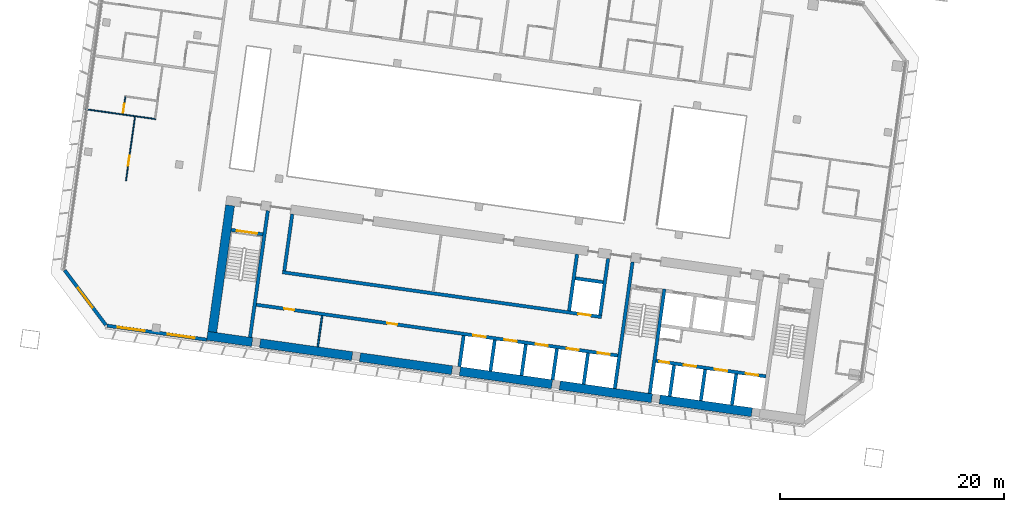
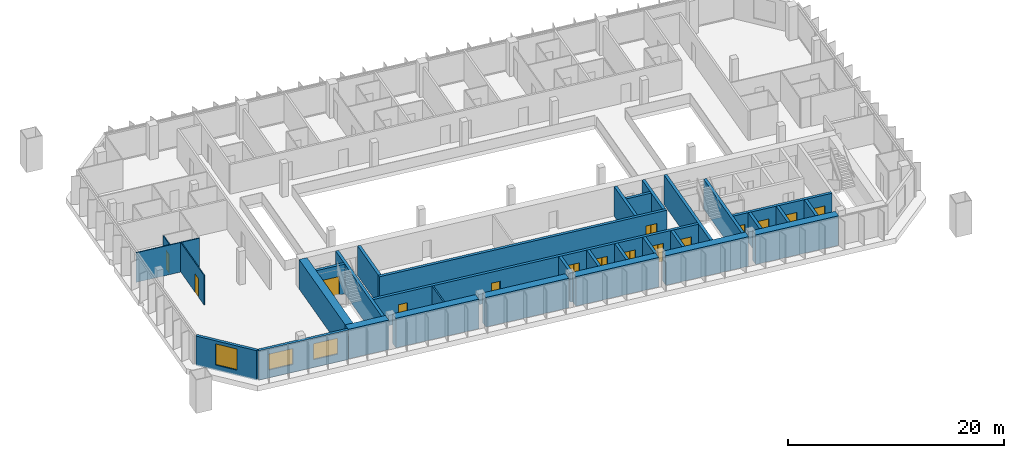
# One storey, part 14 of 26: 32 walls, 15 doors, 3 windows, 18 openings.
"""IFC4 building model written with IfcOpenShell, lengths in metres."""

from ifc_helpers import new_model, si_unit, direction, frame, frame_2d, origin, place, context, subcontext, project, spatial, rectangle, extrude, material, layer, layer_set, type_object, element, fill, save


model = new_model("IFC4")

# Units and contexts
model_context = context("Model", 3, precision=1e-05, world=origin(), true_north=direction((0.0, 1.0)))
body_context = subcontext(model_context, "Body", "Model", "MODEL_VIEW")
ifc_project = project(units=[si_unit("LENGTHUNIT", "METRE"), si_unit("AREAUNIT", "SQUARE_METRE"), si_unit("VOLUMEUNIT", "CUBIC_METRE"), si_unit("PLANEANGLEUNIT", "RADIAN"), si_unit("MASSUNIT", "GRAM", prefix="KILO")], contexts=[model_context])

# Site, building, storey
site_placement = place(None, origin())
site = spatial("IfcSite", under=ifc_project, at=site_placement, CompositionType="ELEMENT")
building_placement = place(site_placement, origin())
building = spatial("IfcBuilding", under=site, at=building_placement, Name="Mirante Cascada Hotel Towers", CompositionType="ELEMENT")
storey_placement = place(building_placement, frame((0.0, 0.0, 140.5)))
storey = spatial("IfcBuildingStorey", under=building, at=storey_placement, Name="L32", CompositionType="ELEMENT", Elevation=140.5)

# Walls
ifc_material_1 = material(Name="Masonry block", Category="masonry")
ifc_layer_1 = layer(ifc_material_1, 0.15)
ifc_layer_set_1 = layer_set([ifc_layer_1], Name="Core room partition 150 block EI 30")
wall_type_1 = type_object("IfcWallType", Name="Core room partition 150 block EI 30", PredefinedType="PARTITIONING", material=ifc_layer_set_1)
wall_1_placement = place(storey_placement, frame((-80.547, -13.174, 0.0), z_axis=(0.0, 0.0, 1.0), x_axis=(0.139176, 0.9902677, 0.0)))
element("IfcWall", 1, at=wall_1_placement, inside=storey, type_object=wall_type_1, Name="Core wall partition T1 L32 4", PredefinedType="PARTITIONING", context=body_context, shape_type="SweptSolid", body=[
    extrude(rectangle(XDim=2.8001, YDim=0.15, at=frame_2d((1.4, 0.0))), origin(), (0.0, 0.0, 1.0), 3.35),
])
ifc_material_2 = material(Name="Plasterboard on metal studs")
ifc_layer_2 = layer(ifc_material_2, 0.1)
ifc_layer_set_2 = layer_set([ifc_layer_2], Name="Partition 100")
wall_type_2 = type_object("IfcWallType", Name="Partition 100", PredefinedType="PARTITIONING", material=ifc_layer_set_2)
wall_2_placement = place(storey_placement, frame((-95.0111, 7.1367, 0.0), z_axis=(0.0, 0.0, 1.0), x_axis=(-0.990267, 0.139181, 0.0)))
element("IfcWall", 2, at=wall_2_placement, inside=storey, type_object=wall_type_2, Name="Wall 1-L32-07", PredefinedType="PARTITIONING", context=body_context, shape_type="SweptSolid", body=[
    extrude(rectangle(XDim=6.35, YDim=0.1, at=frame_2d((3.175, 0.0))), origin(), (0.0, 0.0, 1.0), 3.35),
])

# Wall, opening, door
wall_3_placement = place(storey_placement, frame((-97.6503, 1.6506, 0.0), z_axis=(0.0, 0.0, 1.0), x_axis=(0.139164, 0.9902694, 0.0)))
wall_3 = element("IfcWall", 3, at=wall_3_placement, inside=storey, type_object=wall_type_2, Name="Wall 1-L32-61", PredefinedType="PARTITIONING", context=body_context, shape_type="SweptSolid", body=[
    extrude(rectangle(XDim=5.7501, YDim=0.1, at=frame_2d((2.875, 0.0))), origin(), (0.0, 0.0, 1.0), 3.35),
])
opening_1_placement = place(wall_3_placement, frame((1.3333, 0.0, 0.0)))
opening_1 = element("IfcOpeningElement", 4, at=opening_1_placement, cuts=wall_3, Name="Opening D1-L32-37", PredefinedType="OPENING", context=body_context, shape_type="SweptSolid", body=[
    extrude(rectangle(XDim=0.9, YDim=2.1, at=frame_2d((0.45, 1.05))), frame((0.0, 0.05, 0.0), z_axis=(0.0, -1.0, 0.0), x_axis=(1.0, 0.0, 0.0)), (0.0, 0.0, 1.0), 0.1),
])
ifc_material_3 = material(Name="Timber door leaf", Category="wood")
door_type_1 = type_object("IfcDoorType", Name="Room door DG3 900x2100", OperationType="SINGLE_SWING_LEFT", PredefinedType="DOOR", material=ifc_material_3)
door_1_placement = place(opening_1_placement, frame((0.9, 0.0, 0.0), z_axis=(0.0, 0.0, 1.0), x_axis=(-1.0, 0.0, 0.0)))
door_1 = element("IfcDoor", 5, at=door_1_placement, inside=storey, type_object=door_type_1, Name="Door D1-L32-37", OperationType="SINGLE_SWING_RIGHT", OverallHeight=2.1, OverallWidth=0.9, PredefinedType="DOOR", context=body_context, shape_type="SweptSolid", body=[
    extrude(rectangle(XDim=0.9, YDim=2.1, at=frame_2d((0.45, 1.05))), frame((0.0, 0.025, 0.0), z_axis=(0.0, -1.0, 0.0), x_axis=(1.0, 0.0, 0.0)), (0.0, 0.0, 1.0), 0.05),
])
fill(opening_1, door_1)

wall_4_placement = place(storey_placement, frame((-97.9254, 7.5968, 0.0), z_axis=(0.0, 0.0, 1.0), x_axis=(0.1391749, 0.9902678, 0.0)))
wall_4 = element("IfcWall", 6, at=wall_4_placement, inside=storey, type_object=wall_type_2, Name="Wall 1-L32-63", PredefinedType="PARTITIONING", context=body_context, shape_type="SweptSolid", body=[
    extrude(rectangle(XDim=1.5333, YDim=0.1, at=frame_2d((0.7667, 0.0))), origin(), (0.0, 0.0, 1.0), 3.35),
])
opening_2_placement = place(wall_4_placement, frame((0.1, 0.0, 0.0)))
opening_2 = element("IfcOpeningElement", 7, at=opening_2_placement, cuts=wall_4, Name="Opening D1-L32-39", PredefinedType="OPENING", context=body_context, shape_type="SweptSolid", body=[
    extrude(rectangle(XDim=0.8, YDim=2.1, at=frame_2d((0.4, 1.05))), frame((0.0, 0.05, 0.0), z_axis=(0.0, -1.0, 0.0), x_axis=(1.0, 0.0, 0.0)), (0.0, 0.0, 1.0), 0.1),
])
ifc_material_4 = material(Name="Timber door leaf", Category="wood")
door_type_2 = type_object("IfcDoorType", Name="Bathroom door DG4 800x2100", OperationType="SINGLE_SWING_LEFT", PredefinedType="DOOR", material=ifc_material_4)
door_2_placement = place(opening_2_placement, origin())
door_2 = element("IfcDoor", 8, at=door_2_placement, inside=storey, type_object=door_type_2, Name="Door D1-L32-39", OperationType="SINGLE_SWING_LEFT", OverallHeight=2.1, OverallWidth=0.8, PredefinedType="DOOR", context=body_context, shape_type="SweptSolid", body=[
    extrude(rectangle(XDim=0.8, YDim=2.1, at=frame_2d((0.4, 1.05))), frame((0.0, 0.025, 0.0), z_axis=(0.0, -1.0, 0.0), x_axis=(1.0, 0.0, 0.0)), (0.0, 0.0, 1.0), 0.05),
])
fill(opening_2, door_2)

# Wall, openings, windows
ifc_material_5 = material(Name="Precast concrete C40/50", Category="concrete")
ifc_layer_3 = layer(ifc_material_5, 0.3)
ifc_layer_set_3 = layer_set([ifc_layer_3], Name="Precast concrete C40/50 cladding wall 300")
wall_type_3 = type_object("IfcWallType", Name="Precast concrete C40/50 cladding wall 300", PredefinedType="STANDARD", material=ifc_layer_set_3)
wall_5_placement = place(storey_placement, frame((-90.4551, -12.5388, 0.0), z_axis=(0.0, 0.0, 1.0), x_axis=(-0.9902678, 0.1391749, 0.0)))
wall_5 = element("IfcWall", 9, at=wall_5_placement, inside=storey, type_object=wall_type_3, Name="Rear cladding wall T1 L32 1", PredefinedType="STANDARD", context=body_context, shape_type="SweptSolid", body=[
    extrude(rectangle(XDim=8.9758, YDim=0.3, at=frame_2d((4.4879, 0.0))), origin(), (0.0, 0.0, 1.0), 3.35),
])
opening_3_placement = place(wall_5_placement, frame((1.1012, 0.0, 0.9)))
opening_3 = element("IfcOpeningElement", 10, at=opening_3_placement, cuts=wall_5, Name="Opening W1-32-01", PredefinedType="OPENING", context=body_context, shape_type="SweptSolid", body=[
    extrude(rectangle(XDim=2.4, YDim=1.8, at=frame_2d((1.2, 0.9))), frame((0.0, 0.15, 0.0), z_axis=(0.0, -1.0, 0.0), x_axis=(1.0, 0.0, 0.0)), (0.0, 0.0, 1.0), 0.3),
])
opening_4_placement = place(wall_5_placement, frame((5.5923, 0.0, 0.9)))
opening_4 = element("IfcOpeningElement", 11, at=opening_4_placement, cuts=wall_5, Name="Opening W1-32-02", PredefinedType="OPENING", context=body_context, shape_type="SweptSolid", body=[
    extrude(rectangle(XDim=2.4, YDim=1.8, at=frame_2d((1.2, 0.9))), frame((0.0, 0.15, 0.0), z_axis=(0.0, -1.0, 0.0), x_axis=(1.0, 0.0, 0.0)), (0.0, 0.0, 1.0), 0.3),
])
ifc_material_6 = material(Name="Aluminium frame with clear double glazing", Category="aluminium")
window_type_1 = type_object("IfcWindowType", Name="Punched window 2400x1800", PartitioningType="DOUBLE_PANEL_VERTICAL", PredefinedType="WINDOW", material=ifc_material_6)
window_1_placement = place(opening_3_placement, origin())
window_1 = element("IfcWindow", 12, at=window_1_placement, inside=storey, type_object=window_type_1, Name="Window W1-32-01", OverallHeight=1.8, OverallWidth=2.4, PartitioningType="SINGLE_PANEL", PredefinedType="WINDOW", context=body_context, shape_type="SweptSolid", body=[
    extrude(rectangle(XDim=2.4, YDim=1.8, at=frame_2d((1.2, 0.9))), frame((0.0, 0.03, 0.0), z_axis=(0.0, -1.0, 0.0), x_axis=(1.0, 0.0, 0.0)), (0.0, 0.0, 1.0), 0.06),
])
fill(opening_3, window_1)
window_2_placement = place(opening_4_placement, origin())
window_2 = element("IfcWindow", 13, at=window_2_placement, inside=storey, type_object=window_type_1, Name="Window W1-32-02", OverallHeight=1.8, OverallWidth=2.4, PartitioningType="SINGLE_PANEL", PredefinedType="WINDOW", context=body_context, shape_type="SweptSolid", body=[
    extrude(rectangle(XDim=2.4, YDim=1.8, at=frame_2d((1.2, 0.9))), frame((0.0, 0.03, 0.0), z_axis=(0.0, -1.0, 0.0), x_axis=(1.0, 0.0, 0.0)), (0.0, 0.0, 1.0), 0.06),
])
fill(opening_4, window_2)

# Wall, opening, window
wall_6_placement = place(storey_placement, frame((-99.4424, -11.2313, 0.0), z_axis=(0.0, 0.0, 1.0), x_axis=(-0.6018194, 0.7986322, 0.0)))
wall_6 = element("IfcWall", 14, at=wall_6_placement, inside=storey, type_object=wall_type_3, Name="Corner cladding wall T1 L32 rear outer", PredefinedType="STANDARD", context=body_context, shape_type="SweptSolid", body=[
    extrude(rectangle(XDim=6.1155, YDim=0.3, at=frame_2d((3.0578, 0.0))), origin(), (0.0, 0.0, 1.0), 3.35),
])
opening_5_placement = place(wall_6_placement, frame((1.9576, 0.0, 0.6)))
opening_5 = element("IfcOpeningElement", 15, at=opening_5_placement, cuts=wall_6, Name="Opening W1-32-03", PredefinedType="OPENING", context=body_context, shape_type="SweptSolid", body=[
    extrude(rectangle(XDim=2.2, YDim=2.4, at=frame_2d((1.1, 1.2))), frame((0.0, 0.15, 0.0), z_axis=(0.0, -1.0, 0.0), x_axis=(1.0, 0.0, 0.0)), (0.0, 0.0, 1.0), 0.3),
])
ifc_material_7 = material(Name="Aluminium frame with clear double glazing", Category="aluminium")
window_type_2 = type_object("IfcWindowType", Name="Corner suite window 2200x2400", PartitioningType="DOUBLE_PANEL_VERTICAL", PredefinedType="WINDOW", material=ifc_material_7)
window_3_placement = place(opening_5_placement, origin())
window_3 = element("IfcWindow", 16, at=window_3_placement, inside=storey, type_object=window_type_2, Name="Window W1-32-03", OverallHeight=2.4, OverallWidth=2.2, PartitioningType="SINGLE_PANEL", PredefinedType="WINDOW", context=body_context, shape_type="SweptSolid", body=[
    extrude(rectangle(XDim=2.2, YDim=2.4, at=frame_2d((1.1, 1.2))), frame((0.0, 0.03, 0.0), z_axis=(0.0, -1.0, 0.0), x_axis=(1.0, 0.0, 0.0)), (0.0, 0.0, 1.0), 0.06),
])
fill(opening_5, window_3)

# Walls
ifc_material_8 = material(Name="Concrete C50/60", Category="concrete")
ifc_layer_4 = layer(ifc_material_8, 0.3)
ifc_layer_set_4 = layer_set([ifc_layer_4], Name="RC core wall 300 C50/60")
wall_type_4 = type_object("IfcWallType", Name="RC core wall 300 C50/60", PredefinedType="SHEAR", material=ifc_layer_set_4)
wall_7_placement = place(storey_placement, frame((-50.938, -17.3352, 0.0), z_axis=(0.0, 0.0, 1.0), x_axis=(0.1391706, 0.9902684, 0.0)))
element("IfcWall", 17, at=wall_7_placement, inside=storey, type_object=wall_type_4, Name="Core wall T1:L32:6", PredefinedType="SHEAR", context=body_context, shape_type="SweptSolid", body=[
    extrude(rectangle(XDim=9.4, YDim=0.3, at=frame_2d((4.7, 0.0))), origin(), (0.0, 0.0, 1.0), 3.35),
])
wall_8_placement = place(storey_placement, frame((-54.0574, -16.8968, 0.0), z_axis=(0.0, 0.0, 1.0), x_axis=(0.1391761, 0.9902677, 0.0)))
element("IfcWall", 18, at=wall_8_placement, inside=storey, type_object=wall_type_4, Name="Core wall T1:L32:7", PredefinedType="SHEAR", context=body_context, shape_type="SweptSolid", body=[
    extrude(rectangle(XDim=11.3999, YDim=0.3, at=frame_2d((5.7, 0.0))), origin(), (0.0, 0.0, 1.0), 3.35),
])
wall_9_placement = place(storey_placement, frame((-86.5877, -12.325, 0.0), z_axis=(0.0, 0.0, 1.0), x_axis=(0.1391749, 0.9902678, 0.0)))
element("IfcWall", 19, at=wall_9_placement, inside=storey, type_object=wall_type_4, Name="Core wall T1:L32:8", PredefinedType="SHEAR", context=body_context, shape_type="SweptSolid", body=[
    extrude(rectangle(XDim=11.4, YDim=0.3, at=frame_2d((5.7, 0.0))), origin(), (0.0, 0.0, 1.0), 3.35),
])

# Wall, opening, door
wall_10_placement = place(storey_placement, frame((-85.4489, -3.1441, 0.0), z_axis=(0.0, 0.0, 1.0), x_axis=(-0.9902697, 0.1391613, 0.0)))
wall_10 = element("IfcWall", 20, at=wall_10_placement, inside=storey, type_object=wall_type_4, Name="Core wall T1:L32:11", PredefinedType="SHEAR", context=body_context, shape_type="SweptSolid", body=[
    extrude(rectangle(XDim=2.8499, YDim=0.3, at=frame_2d((1.425, 0.0))), origin(), (0.0, 0.0, 1.0), 3.35),
])
opening_6_placement = place(wall_10_placement, frame((0.525, 0.0, 0.0)))
opening_6 = element("IfcOpeningElement", 21, at=opening_6_placement, cuts=wall_10, Name="Opening D1-32-C17", PredefinedType="OPENING", context=body_context, shape_type="SweptSolid", body=[
    extrude(rectangle(XDim=1.8, YDim=2.1, at=frame_2d((0.9, 1.05))), frame((0.0, 0.15, 0.0), z_axis=(0.0, -1.0, 0.0), x_axis=(1.0, 0.0, 0.0)), (0.0, 0.0, 1.0), 0.3),
])
ifc_material_9 = material(Name="Hollow metal fire door leaf")
door_type_3 = type_object("IfcDoorType", Name="Double fire door 1800x2100 FD60", OperationType="DOUBLE_DOOR_SINGLE_SWING", PredefinedType="DOOR", material=ifc_material_9)
door_3_placement = place(opening_6_placement, origin())
door_3 = element("IfcDoor", 22, at=door_3_placement, inside=storey, type_object=door_type_3, Name="Stair door T1 L32 17", OperationType="DOUBLE_DOOR_SINGLE_SWING", OverallHeight=2.1, OverallWidth=1.8, PredefinedType="DOOR", context=body_context, shape_type="SweptSolid", body=[
    extrude(rectangle(XDim=0.895, YDim=2.1, at=frame_2d((0.4475, 1.05))), frame((0.0, 0.025, 0.0), z_axis=(0.0, -1.0, 0.0), x_axis=(1.0, 0.0, 0.0)), (0.0, 0.0, 1.0), 0.05),
    extrude(rectangle(XDim=0.895, YDim=2.1, at=frame_2d((1.3525, 1.05))), frame((0.0, 0.025, 0.0), z_axis=(0.0, -1.0, 0.0), x_axis=(1.0, 0.0, 0.0)), (0.0, 0.0, 1.0), 0.05),
])
fill(opening_6, door_3)

# Wall, openings, doors
wall_11_placement = place(storey_placement, frame((-40.5753, -15.8126, 0.0), z_axis=(0.0, 0.0, 1.0), x_axis=(-0.9902682, 0.1391725, 0.0)))
wall_11 = element("IfcWall", 23, at=wall_11_placement, inside=storey, type_object=wall_type_4, Name="Core wall T1:L32:12", PredefinedType="SHEAR", context=body_context, shape_type="SweptSolid", body=[
    extrude(rectangle(XDim=9.8999, YDim=0.3, at=frame_2d((4.95, 0.0))), origin(), (0.0, 0.0, 1.0), 3.35),
])
opening_7_placement = place(wall_11_placement, frame((0.7, 0.0, 0.0)))
opening_7 = element("IfcOpeningElement", 24, at=opening_7_placement, cuts=wall_11, Name="Opening LD", PredefinedType="OPENING", context=body_context, shape_type="SweptSolid", body=[
    extrude(rectangle(XDim=1.1, YDim=2.1, at=frame_2d((0.55, 1.05))), frame((0.0, 0.15, 0.0), z_axis=(0.0, -1.0, 0.0), x_axis=(1.0, 0.0, 0.0)), (0.0, 0.0, 1.0), 0.3),
])
opening_8_placement = place(wall_11_placement, frame((3.5, 0.0, 0.0)))
opening_8 = element("IfcOpeningElement", 25, at=opening_8_placement, cuts=wall_11, Name="Opening LD", PredefinedType="OPENING", context=body_context, shape_type="SweptSolid", body=[
    extrude(rectangle(XDim=1.1, YDim=2.1, at=frame_2d((0.55, 1.05))), frame((0.0, 0.15, 0.0), z_axis=(0.0, -1.0, 0.0), x_axis=(1.0, 0.0, 0.0)), (0.0, 0.0, 1.0), 0.3),
])
opening_9_placement = place(wall_11_placement, frame((6.3, 0.0, 0.0)))
opening_9 = element("IfcOpeningElement", 26, at=opening_9_placement, cuts=wall_11, Name="Opening LD", PredefinedType="OPENING", context=body_context, shape_type="SweptSolid", body=[
    extrude(rectangle(XDim=1.1, YDim=2.1, at=frame_2d((0.55, 1.05))), frame((0.0, 0.15, 0.0), z_axis=(0.0, -1.0, 0.0), x_axis=(1.0, 0.0, 0.0)), (0.0, 0.0, 1.0), 0.3),
])
opening_10_placement = place(wall_11_placement, frame((8.7, 0.0, 0.0)))
opening_10 = element("IfcOpeningElement", 27, at=opening_10_placement, cuts=wall_11, Name="Opening D1-32-C22", PredefinedType="OPENING", context=body_context, shape_type="SweptSolid", body=[
    extrude(rectangle(XDim=0.9, YDim=2.1, at=frame_2d((0.45, 1.05))), frame((0.0, 0.15, 0.0), z_axis=(0.0, -1.0, 0.0), x_axis=(1.0, 0.0, 0.0)), (0.0, 0.0, 1.0), 0.3),
])
ifc_material_10 = material(Name="Hollow metal fire door leaf")
door_type_4 = type_object("IfcDoorType", Name="Fire door 900x2100 FD60", OperationType="NOTDEFINED", PredefinedType="DOOR", material=ifc_material_10)
door_4_placement = place(opening_10_placement, origin())
door_4 = element("IfcDoor", 28, at=door_4_placement, inside=storey, type_object=door_type_4, Name="Riser door T1 L32 22", OperationType="SINGLE_SWING_LEFT", OverallHeight=2.1, OverallWidth=0.9, PredefinedType="DOOR", context=body_context, shape_type="SweptSolid", body=[
    extrude(rectangle(XDim=0.9, YDim=2.1, at=frame_2d((0.45, 1.05))), frame((0.0, 0.025, 0.0), z_axis=(0.0, -1.0, 0.0), x_axis=(1.0, 0.0, 0.0)), (0.0, 0.0, 1.0), 0.05),
])
fill(opening_10, door_4)
ifc_material_11 = material(Name="Stainless steel", Category="steel")
door_type_5 = type_object("IfcDoorType", Name="Lift landing door 1100x2100 EI 120", OperationType="DOUBLE_DOOR_SLIDING", PredefinedType="DOOR", material=ifc_material_11)
door_5_placement = place(opening_7_placement, origin())
door_5 = element("IfcDoor", 29, at=door_5_placement, inside=storey, type_object=door_type_5, Name="Lift landing door HR1-1 L32", OperationType="DOUBLE_DOOR_SLIDING", OverallHeight=2.1, OverallWidth=1.1, PredefinedType="DOOR", context=body_context, shape_type="SweptSolid", body=[
    extrude(rectangle(XDim=0.545, YDim=2.1, at=frame_2d((0.2725, 1.05))), frame((0.0, 0.025, 0.0), z_axis=(0.0, -1.0, 0.0), x_axis=(1.0, 0.0, 0.0)), (0.0, 0.0, 1.0), 0.05),
    extrude(rectangle(XDim=0.545, YDim=2.1, at=frame_2d((0.8275, 1.05))), frame((0.0, 0.025, 0.0), z_axis=(0.0, -1.0, 0.0), x_axis=(1.0, 0.0, 0.0)), (0.0, 0.0, 1.0), 0.05),
])
fill(opening_7, door_5)
door_6_placement = place(opening_8_placement, origin())
door_6 = element("IfcDoor", 30, at=door_6_placement, inside=storey, type_object=door_type_5, Name="Lift landing door HR1-2 L32", OperationType="DOUBLE_DOOR_SLIDING", OverallHeight=2.1, OverallWidth=1.1, PredefinedType="DOOR", context=body_context, shape_type="SweptSolid", body=[
    extrude(rectangle(XDim=0.545, YDim=2.1, at=frame_2d((0.2725, 1.05))), frame((0.0, 0.025, 0.0), z_axis=(0.0, -1.0, 0.0), x_axis=(1.0, 0.0, 0.0)), (0.0, 0.0, 1.0), 0.05),
    extrude(rectangle(XDim=0.545, YDim=2.1, at=frame_2d((0.8275, 1.05))), frame((0.0, 0.025, 0.0), z_axis=(0.0, -1.0, 0.0), x_axis=(1.0, 0.0, 0.0)), (0.0, 0.0, 1.0), 0.05),
])
fill(opening_8, door_6)
door_7_placement = place(opening_9_placement, origin())
door_7 = element("IfcDoor", 31, at=door_7_placement, inside=storey, type_object=door_type_5, Name="Lift landing door HR1-3 L32", OperationType="DOUBLE_DOOR_SLIDING", OverallHeight=2.1, OverallWidth=1.1, PredefinedType="DOOR", context=body_context, shape_type="SweptSolid", body=[
    extrude(rectangle(XDim=0.545, YDim=2.1, at=frame_2d((0.2725, 1.05))), frame((0.0, 0.025, 0.0), z_axis=(0.0, -1.0, 0.0), x_axis=(1.0, 0.0, 0.0)), (0.0, 0.0, 1.0), 0.05),
    extrude(rectangle(XDim=0.545, YDim=2.1, at=frame_2d((0.8275, 1.05))), frame((0.0, 0.025, 0.0), z_axis=(0.0, -1.0, 0.0), x_axis=(1.0, 0.0, 0.0)), (0.0, 0.0, 1.0), 0.05),
])
fill(opening_9, door_7)

# Walls
wall_12_placement = place(storey_placement, frame((-43.61, -18.3651, 0.0), z_axis=(0.0, 0.0, 1.0), x_axis=(0.1391459, 0.9902719, 0.0)))
element("IfcWall", 32, at=wall_12_placement, inside=storey, type_object=wall_type_4, Name="Core wall T1:L32:15", PredefinedType="SHEAR", context=body_context, shape_type="SweptSolid", body=[
    extrude(rectangle(XDim=2.7999, YDim=0.3, at=frame_2d((1.4, 0.0))), origin(), (0.0, 0.0, 1.0), 3.35),
])
wall_13_placement = place(storey_placement, frame((-46.3828, -17.9754, 0.0), z_axis=(0.0, 0.0, 1.0), x_axis=(0.139181, 0.990267, 0.0)))
element("IfcWall", 33, at=wall_13_placement, inside=storey, type_object=wall_type_4, Name="Core wall T1:L32:16", PredefinedType="SHEAR", context=body_context, shape_type="SweptSolid", body=[
    extrude(rectangle(XDim=2.8, YDim=0.3, at=frame_2d((1.4, 0.0))), origin(), (0.0, 0.0, 1.0), 3.35),
])
wall_14_placement = place(storey_placement, frame((-49.1555, -17.5857, 0.0), z_axis=(0.0, 0.0, 1.0), x_axis=(0.1391459, 0.9902719, 0.0)))
element("IfcWall", 34, at=wall_14_placement, inside=storey, type_object=wall_type_4, Name="Core wall T1:L32:17", PredefinedType="SHEAR", context=body_context, shape_type="SweptSolid", body=[
    extrude(rectangle(XDim=2.7999, YDim=0.3, at=frame_2d((1.4, 0.0))), origin(), (0.0, 0.0, 1.0), 3.35),
])

# Wall, openings, doors
wall_15_placement = place(storey_placement, frame((-53.7953, -13.9547, 0.0), z_axis=(0.0, 0.0, 1.0), x_axis=(-0.990268, 0.1391733, 0.0)))
wall_15 = element("IfcWall", 35, at=wall_15_placement, inside=storey, type_object=wall_type_4, Name="Core wall T1:L32:24", PredefinedType="SHEAR", context=body_context, shape_type="SweptSolid", body=[
    extrude(rectangle(XDim=32.5501, YDim=0.3, at=frame_2d((16.275, 0.0))), origin(), (0.0, 0.0, 1.0), 3.35),
])
opening_11_placement = place(wall_15_placement, frame((0.7, 0.0, 0.0)))
opening_11 = element("IfcOpeningElement", 36, at=opening_11_placement, cuts=wall_15, Name="Opening LD", PredefinedType="OPENING", context=body_context, shape_type="SweptSolid", body=[
    extrude(rectangle(XDim=1.1, YDim=2.1, at=frame_2d((0.55, 1.05))), frame((0.0, 0.15, 0.0), z_axis=(0.0, -1.0, 0.0), x_axis=(1.0, 0.0, 0.0)), (0.0, 0.0, 1.0), 0.3),
])
opening_12_placement = place(wall_15_placement, frame((3.5, 0.0, 0.0)))
opening_12 = element("IfcOpeningElement", 37, at=opening_12_placement, cuts=wall_15, Name="Opening LD", PredefinedType="OPENING", context=body_context, shape_type="SweptSolid", body=[
    extrude(rectangle(XDim=1.1, YDim=2.1, at=frame_2d((0.55, 1.05))), frame((0.0, 0.15, 0.0), z_axis=(0.0, -1.0, 0.0), x_axis=(1.0, 0.0, 0.0)), (0.0, 0.0, 1.0), 0.3),
])
opening_13_placement = place(wall_15_placement, frame((6.3, 0.0, 0.0)))
opening_13 = element("IfcOpeningElement", 38, at=opening_13_placement, cuts=wall_15, Name="Opening LD", PredefinedType="OPENING", context=body_context, shape_type="SweptSolid", body=[
    extrude(rectangle(XDim=1.1, YDim=2.1, at=frame_2d((0.55, 1.05))), frame((0.0, 0.15, 0.0), z_axis=(0.0, -1.0, 0.0), x_axis=(1.0, 0.0, 0.0)), (0.0, 0.0, 1.0), 0.3),
])
opening_14_placement = place(wall_15_placement, frame((9.1, 0.0, 0.0)))
opening_14 = element("IfcOpeningElement", 39, at=opening_14_placement, cuts=wall_15, Name="Opening LD", PredefinedType="OPENING", context=body_context, shape_type="SweptSolid", body=[
    extrude(rectangle(XDim=1.1, YDim=2.1, at=frame_2d((0.55, 1.05))), frame((0.0, 0.15, 0.0), z_axis=(0.0, -1.0, 0.0), x_axis=(1.0, 0.0, 0.0)), (0.0, 0.0, 1.0), 0.3),
])
opening_15_placement = place(wall_15_placement, frame((11.9, 0.0, 0.0)))
opening_15 = element("IfcOpeningElement", 40, at=opening_15_placement, cuts=wall_15, Name="Opening LD", PredefinedType="OPENING", context=body_context, shape_type="SweptSolid", body=[
    extrude(rectangle(XDim=1.1, YDim=2.1, at=frame_2d((0.55, 1.05))), frame((0.0, 0.15, 0.0), z_axis=(0.0, -1.0, 0.0), x_axis=(1.0, 0.0, 0.0)), (0.0, 0.0, 1.0), 0.3),
])
opening_16_placement = place(wall_15_placement, frame((19.85, 0.0, 0.0)))
opening_16 = element("IfcOpeningElement", 41, at=opening_16_placement, cuts=wall_15, Name="Opening D1-32-C25", PredefinedType="OPENING", context=body_context, shape_type="SweptSolid", body=[
    extrude(rectangle(XDim=0.9, YDim=2.1, at=frame_2d((0.45, 1.05))), frame((0.0, 0.15, 0.0), z_axis=(0.0, -1.0, 0.0), x_axis=(1.0, 0.0, 0.0)), (0.0, 0.0, 1.0), 0.3),
])
opening_17_placement = place(wall_15_placement, frame((29.125, 0.0, 0.0)))
opening_17 = element("IfcOpeningElement", 42, at=opening_17_placement, cuts=wall_15, Name="Opening D1-32-C26", PredefinedType="OPENING", context=body_context, shape_type="SweptSolid", body=[
    extrude(rectangle(XDim=0.9, YDim=2.1, at=frame_2d((0.45, 1.05))), frame((0.0, 0.15, 0.0), z_axis=(0.0, -1.0, 0.0), x_axis=(1.0, 0.0, 0.0)), (0.0, 0.0, 1.0), 0.3),
])
door_8_placement = place(opening_16_placement, origin())
door_8 = element("IfcDoor", 43, at=door_8_placement, inside=storey, type_object=door_type_4, Name="Room door T1 L32 25", OperationType="SINGLE_SWING_LEFT", OverallHeight=2.1, OverallWidth=0.9, PredefinedType="DOOR", context=body_context, shape_type="SweptSolid", body=[
    extrude(rectangle(XDim=0.9, YDim=2.1, at=frame_2d((0.45, 1.05))), frame((0.0, 0.025, 0.0), z_axis=(0.0, -1.0, 0.0), x_axis=(1.0, 0.0, 0.0)), (0.0, 0.0, 1.0), 0.05),
])
fill(opening_16, door_8)
door_9_placement = place(opening_17_placement, origin())
door_9 = element("IfcDoor", 44, at=door_9_placement, inside=storey, type_object=door_type_4, Name="Room door T1 L32 26", OperationType="SINGLE_SWING_LEFT", OverallHeight=2.1, OverallWidth=0.9, PredefinedType="DOOR", context=body_context, shape_type="SweptSolid", body=[
    extrude(rectangle(XDim=0.9, YDim=2.1, at=frame_2d((0.45, 1.05))), frame((0.0, 0.025, 0.0), z_axis=(0.0, -1.0, 0.0), x_axis=(1.0, 0.0, 0.0)), (0.0, 0.0, 1.0), 0.05),
])
fill(opening_17, door_9)
door_10_placement = place(opening_11_placement, origin())
door_10 = element("IfcDoor", 45, at=door_10_placement, inside=storey, type_object=door_type_5, Name="Lift landing door LR1-1 L32", OperationType="DOUBLE_DOOR_SLIDING", OverallHeight=2.1, OverallWidth=1.1, PredefinedType="DOOR", context=body_context, shape_type="SweptSolid", body=[
    extrude(rectangle(XDim=0.545, YDim=2.1, at=frame_2d((0.2725, 1.05))), frame((0.0, 0.025, 0.0), z_axis=(0.0, -1.0, 0.0), x_axis=(1.0, 0.0, 0.0)), (0.0, 0.0, 1.0), 0.05),
    extrude(rectangle(XDim=0.545, YDim=2.1, at=frame_2d((0.8275, 1.05))), frame((0.0, 0.025, 0.0), z_axis=(0.0, -1.0, 0.0), x_axis=(1.0, 0.0, 0.0)), (0.0, 0.0, 1.0), 0.05),
])
fill(opening_11, door_10)
door_11_placement = place(opening_12_placement, origin())
door_11 = element("IfcDoor", 46, at=door_11_placement, inside=storey, type_object=door_type_5, Name="Lift landing door LR1-2 L32", OperationType="DOUBLE_DOOR_SLIDING", OverallHeight=2.1, OverallWidth=1.1, PredefinedType="DOOR", context=body_context, shape_type="SweptSolid", body=[
    extrude(rectangle(XDim=0.545, YDim=2.1, at=frame_2d((0.2725, 1.05))), frame((0.0, 0.025, 0.0), z_axis=(0.0, -1.0, 0.0), x_axis=(1.0, 0.0, 0.0)), (0.0, 0.0, 1.0), 0.05),
    extrude(rectangle(XDim=0.545, YDim=2.1, at=frame_2d((0.8275, 1.05))), frame((0.0, 0.025, 0.0), z_axis=(0.0, -1.0, 0.0), x_axis=(1.0, 0.0, 0.0)), (0.0, 0.0, 1.0), 0.05),
])
fill(opening_12, door_11)
door_12_placement = place(opening_13_placement, origin())
door_12 = element("IfcDoor", 47, at=door_12_placement, inside=storey, type_object=door_type_5, Name="Lift landing door SV1-1 L32", OperationType="DOUBLE_DOOR_SLIDING", OverallHeight=2.1, OverallWidth=1.1, PredefinedType="DOOR", context=body_context, shape_type="SweptSolid", body=[
    extrude(rectangle(XDim=0.545, YDim=2.1, at=frame_2d((0.2725, 1.05))), frame((0.0, 0.025, 0.0), z_axis=(0.0, -1.0, 0.0), x_axis=(1.0, 0.0, 0.0)), (0.0, 0.0, 1.0), 0.05),
    extrude(rectangle(XDim=0.545, YDim=2.1, at=frame_2d((0.8275, 1.05))), frame((0.0, 0.025, 0.0), z_axis=(0.0, -1.0, 0.0), x_axis=(1.0, 0.0, 0.0)), (0.0, 0.0, 1.0), 0.05),
])
fill(opening_13, door_12)
door_13_placement = place(opening_14_placement, origin())
door_13 = element("IfcDoor", 48, at=door_13_placement, inside=storey, type_object=door_type_5, Name="Lift landing door SV1-2 L32", OperationType="DOUBLE_DOOR_SLIDING", OverallHeight=2.1, OverallWidth=1.1, PredefinedType="DOOR", context=body_context, shape_type="SweptSolid", body=[
    extrude(rectangle(XDim=0.545, YDim=2.1, at=frame_2d((0.2725, 1.05))), frame((0.0, 0.025, 0.0), z_axis=(0.0, -1.0, 0.0), x_axis=(1.0, 0.0, 0.0)), (0.0, 0.0, 1.0), 0.05),
    extrude(rectangle(XDim=0.545, YDim=2.1, at=frame_2d((0.8275, 1.05))), frame((0.0, 0.025, 0.0), z_axis=(0.0, -1.0, 0.0), x_axis=(1.0, 0.0, 0.0)), (0.0, 0.0, 1.0), 0.05),
])
fill(opening_14, door_13)
door_14_placement = place(opening_15_placement, origin())
door_14 = element("IfcDoor", 49, at=door_14_placement, inside=storey, type_object=door_type_5, Name="Lift landing door SV1-3 L32", OperationType="DOUBLE_DOOR_SLIDING", OverallHeight=2.1, OverallWidth=1.1, PredefinedType="DOOR", context=body_context, shape_type="SweptSolid", body=[
    extrude(rectangle(XDim=0.545, YDim=2.1, at=frame_2d((0.2725, 1.05))), frame((0.0, 0.025, 0.0), z_axis=(0.0, -1.0, 0.0), x_axis=(1.0, 0.0, 0.0)), (0.0, 0.0, 1.0), 0.05),
    extrude(rectangle(XDim=0.545, YDim=2.1, at=frame_2d((0.8275, 1.05))), frame((0.0, 0.025, 0.0), z_axis=(0.0, -1.0, 0.0), x_axis=(1.0, 0.0, 0.0)), (0.0, 0.0, 1.0), 0.05),
])
fill(opening_15, door_14)

# Walls
for number, where, z_axis, x_axis, name in (
    (50, (-56.8301, -16.5072, 0.0), (0.0, 0.0, 1.0), (0.139176, 0.9902677, 0.0), "Core wall T1:L32:25"),
    (51, (-59.6029, -16.1175, 0.0), (0.0, 0.0, 1.0), (0.139176, 0.9902677, 0.0), "Core wall T1:L32:26"),
    (52, (-62.3756, -15.7278, 0.0), (0.0, 0.0, 1.0), (0.139176, 0.9902677, 0.0), "Core wall T1:L32:27"),
    (53, (-65.1484, -15.3381, 0.0), (0.0, 0.0, 1.0), (0.139176, 0.9902677, 0.0), "Core wall T1:L32:28"),
):
    element("IfcWall", number, at=place(storey_placement, frame(where, z_axis=z_axis, x_axis=x_axis)), inside=storey, type_object=wall_type_4, Name=name, PredefinedType="SHEAR", context=body_context, shape_type="SweptSolid", body=[
        extrude(rectangle(XDim=2.8001, YDim=0.3, at=frame_2d((1.4, 0.0))), origin(), (0.0, 0.0, 1.0), 3.35),
    ])
wall_16_placement = place(storey_placement, frame((-67.9211, -14.9484, 0.0), z_axis=(0.0, 0.0, 1.0), x_axis=(0.139181, 0.990267, 0.0)))
element("IfcWall", 54, at=wall_16_placement, inside=storey, type_object=wall_type_4, Name="Core wall T1:L32:29", PredefinedType="SHEAR", context=body_context, shape_type="SweptSolid", body=[
    extrude(rectangle(XDim=2.8, YDim=0.3, at=frame_2d((1.4, 0.0))), origin(), (0.0, 0.0, 1.0), 3.35),
])

# Wall, opening, door
wall_17_placement = place(storey_placement, frame((-55.2315, -10.5214, 0.0), z_axis=(0.0, 0.0, 1.0), x_axis=(-0.9902682, 0.1391722, 0.0)))
wall_17 = element("IfcWall", 55, at=wall_17_placement, inside=storey, type_object=wall_type_4, Name="Core wall T1:L32:31", PredefinedType="SHEAR", context=body_context, shape_type="SweptSolid", body=[
    extrude(rectangle(XDim=28.75, YDim=0.3, at=frame_2d((14.375, 0.0))), origin(), (0.0, 0.0, 1.0), 3.35),
])
opening_18_placement = place(wall_17_placement, frame((1.0, 0.0, 0.0)))
opening_18 = element("IfcOpeningElement", 56, at=opening_18_placement, cuts=wall_17, Name="Opening LD", PredefinedType="OPENING", context=body_context, shape_type="SweptSolid", body=[
    extrude(rectangle(XDim=1.1, YDim=2.1, at=frame_2d((0.55, 1.05))), frame((0.0, 0.15, 0.0), z_axis=(0.0, -1.0, 0.0), x_axis=(1.0, 0.0, 0.0)), (0.0, 0.0, 1.0), 0.3),
])
door_15_placement = place(opening_18_placement, origin())
door_15 = element("IfcDoor", 57, at=door_15_placement, inside=storey, type_object=door_type_5, Name="Lift landing door LR1-3 L32", OperationType="DOUBLE_DOOR_SLIDING", OverallHeight=2.1, OverallWidth=1.1, PredefinedType="DOOR", context=body_context, shape_type="SweptSolid", body=[
    extrude(rectangle(XDim=0.545, YDim=2.1, at=frame_2d((0.2725, 1.05))), frame((0.0, 0.025, 0.0), z_axis=(0.0, -1.0, 0.0), x_axis=(1.0, 0.0, 0.0)), (0.0, 0.0, 1.0), 0.05),
    extrude(rectangle(XDim=0.545, YDim=2.1, at=frame_2d((0.8275, 1.05))), frame((0.0, 0.025, 0.0), z_axis=(0.0, -1.0, 0.0), x_axis=(1.0, 0.0, 0.0)), (0.0, 0.0, 1.0), 0.05),
])
fill(opening_18, door_15)

# Walls
for number, where, z_axis, x_axis, name in (
    (58, (-55.3592, -10.352, 0.0), (0.0, 0.0, 1.0), (0.1391755, 0.9902677, 0.0), "Core wall T1:L32:32"),
    (59, (-83.5323, -6.3925, 0.0), (0.0, 0.0, 1.0), (0.1391755, 0.9902677, 0.0), "Core wall T1:L32:33"),
    (60, (-58.1319, -9.9623, 0.0), (0.0, 0.0, 1.0), (0.1391755, 0.9902677, 0.0), "Core wall T1:L32:34"),
):
    element("IfcWall", number, at=place(storey_placement, frame(where, z_axis=z_axis, x_axis=x_axis)), inside=storey, type_object=wall_type_4, Name=name, PredefinedType="SHEAR", context=body_context, shape_type="SweptSolid", body=[
        extrude(rectangle(XDim=5.1, YDim=0.3, at=frame_2d((2.55, 0.0))), origin(), (0.0, 0.0, 1.0), 3.35),
    ])
wall_18_placement = place(storey_placement, frame((-55.0971, -7.4098, 0.0), z_axis=(0.0, 0.0, 1.0), x_axis=(-0.9902701, 0.1391586, 0.0)))
element("IfcWall", 61, at=wall_18_placement, inside=storey, type_object=wall_type_4, Name="Core wall T1:L32:35", PredefinedType="SHEAR", context=body_context, shape_type="SweptSolid", body=[
    extrude(rectangle(XDim=2.5, YDim=0.3, at=frame_2d((1.25, 0.0))), origin(), (0.0, 0.0, 1.0), 3.35),
])
ifc_material_12 = material(Name="Concrete C50/60", Category="concrete")
ifc_layer_5 = layer(ifc_material_12, 0.8)
ifc_layer_set_5 = layer_set([ifc_layer_5], Name="RC core wall 800 C50/60")
wall_type_5 = type_object("IfcWallType", Name="RC core wall 800 C50/60", PredefinedType="SHEAR", material=ifc_layer_set_5)
for number, where, z_axis, x_axis, name in (
    (62, (-41.8337, -19.0187, 0.0), (0.0, 0.0, 1.0), (-0.9902686, 0.1391692, 0.0), "Core wall T1:L32:1.2"),
    (63, (-50.7461, -17.7661, 0.0), (0.0, 0.0, 1.0), (-0.9902686, 0.1391692, 0.0), "Core wall T1:L32:1.3"),
):
    element("IfcWall", number, at=place(storey_placement, frame(where, z_axis=z_axis, x_axis=x_axis)), inside=storey, type_object=wall_type_5, Name=name, PredefinedType="SHEAR", context=body_context, shape_type="SweptSolid", body=[
        extrude(rectangle(XDim=8.3, YDim=0.8, at=frame_2d((4.15, 0.0))), origin(), (0.0, 0.0, 1.0), 3.35),
    ])
for number, where, z_axis, x_axis, name in (
    (64, (-59.6585, -16.5136, 0.0), (0.0, 0.0, 1.0), (-0.9902672, 0.1391793, 0.0), "Core wall T1:L32:1.4"),
    (65, (-68.5709, -15.261, 0.0), (0.0, 0.0, 1.0), (-0.9902689, 0.1391675, 0.0), "Core wall T1:L32:1.5"),
):
    element("IfcWall", number, at=place(storey_placement, frame(where, z_axis=z_axis, x_axis=x_axis)), inside=storey, type_object=wall_type_5, Name=name, PredefinedType="SHEAR", context=body_context, shape_type="SweptSolid", body=[
        extrude(rectangle(XDim=8.3001, YDim=0.8, at=frame_2d((4.15, 0.0))), origin(), (0.0, 0.0, 1.0), 3.35),
    ])
wall_19_placement = place(storey_placement, frame((-77.4834, -14.0085, 0.0), z_axis=(0.0, 0.0, 1.0), x_axis=(-0.990267, 0.139181, 0.0)))
element("IfcWall", 66, at=wall_19_placement, inside=storey, type_object=wall_type_5, Name="Core wall T1:L32:1.6", PredefinedType="SHEAR", context=body_context, shape_type="SweptSolid", body=[
    extrude(rectangle(XDim=8.3, YDim=0.8, at=frame_2d((4.15, 0.0))), origin(), (0.0, 0.0, 1.0), 3.35),
])
wall_20_placement = place(storey_placement, frame((-86.3958, -12.7559, 0.0), z_axis=(0.0, 0.0, 1.0), x_axis=(-0.9902665, 0.1391845, 0.0)))
element("IfcWall", 67, at=wall_20_placement, inside=storey, type_object=wall_type_5, Name="Core wall T1:L32:1.7", PredefinedType="SHEAR", context=body_context, shape_type="SweptSolid", body=[
    extrude(rectangle(XDim=4.05, YDim=0.8, at=frame_2d((2.025, 0.0))), origin(), (0.0, 0.0, 1.0), 3.35),
])
wall_21_placement = place(storey_placement, frame((-89.9546, -11.8518, 0.0), z_axis=(0.0, 0.0, 1.0), x_axis=(0.1391761, 0.9902677, 0.0)))
element("IfcWall", 68, at=wall_21_placement, inside=storey, type_object=wall_type_5, Name="Core wall T1:L32:4", PredefinedType="SHEAR", context=body_context, shape_type="SweptSolid", body=[
    extrude(rectangle(XDim=11.3999, YDim=0.8, at=frame_2d((5.7, 0.0))), origin(), (0.0, 0.0, 1.0), 3.35),
])

save(model, "model.ifc")
